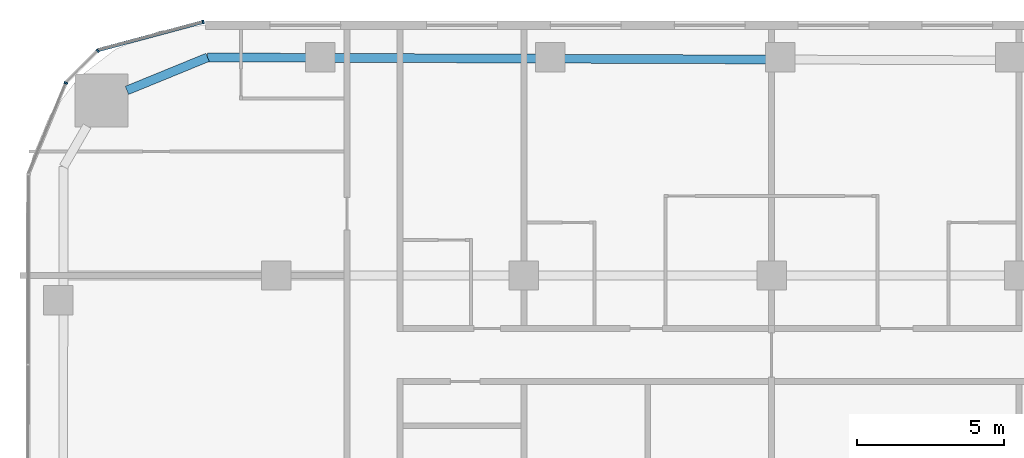
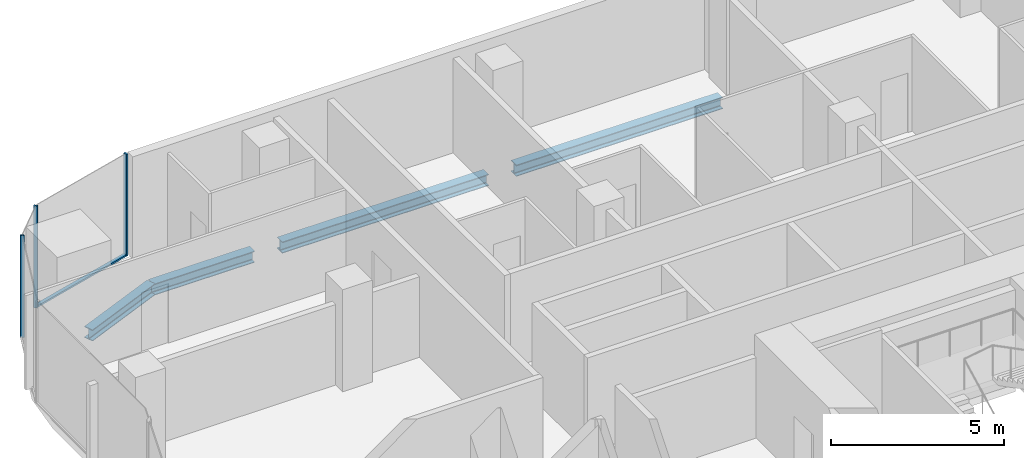
# One storey, part 10 of 25: 4 beams, 4 members, 3 elements without a shape of their own.
"""IFC4 building model written with IfcOpenShell, lengths in metres."""

from ifc_helpers import new_model, si_unit, direction, frame, origin, origin_2d, place, context, subcontext, project, spatial, rectangle, i_section, extrude, material, layer, layer_set, material_profile, profile_set, type_object, element, aggregate, save


model = new_model("IFC4")

# Units and contexts
model_context = context("Model", 3, precision=1e-05, world=origin(), true_north=direction((0.0, 1.0)))
body_context = subcontext(model_context, "Body", "Model", "MODEL_VIEW")
ifc_project = project(units=[si_unit("LENGTHUNIT", "METRE"), si_unit("AREAUNIT", "SQUARE_METRE"), si_unit("VOLUMEUNIT", "CUBIC_METRE"), si_unit("PLANEANGLEUNIT", "RADIAN"), si_unit("MASSUNIT", "GRAM", prefix="KILO")], contexts=[model_context])

# Site, building, storey
site_placement = place(None, origin())
site = spatial("IfcSite", under=ifc_project, at=site_placement, CompositionType="ELEMENT")
building_placement = place(site_placement, origin())
building = spatial("IfcBuilding", under=site, at=building_placement, Name="Marenta Gate Hotel Tower", CompositionType="ELEMENT")
storey_placement = place(building_placement, frame((0.0, 0.0, 50.89990234375)))
storey = spatial("IfcBuildingStorey", under=building, at=storey_placement, Name="L10", CompositionType="ELEMENT", Elevation=50.89990234375)

# Beams
ifc_material_1 = material(Name="Steel S355", Category="steel")
ifc_material_profile_1 = material_profile(ifc_material_1, i_section(OverallWidth=0.300048828125, OverallDepth=0.39990234375, WebThickness=0.013427734375, FlangeThickness=0.02392578125, FilletRadius=0.027099609375, at=origin_2d()), Name="HEB 400")
ifc_profile_set_1 = profile_set([ifc_material_profile_1], Name="Steel S355")
beam_type = type_object("IfcBeamType", Name="Edge beam HEB 400", PredefinedType="SPANDREL", material=ifc_profile_set_1)
beam_1_placement = place(storey_placement, frame((-26.072509765625, 31.47998046875, -0.4599609375), z_axis=(0.925545641603, 0.378636059177, 0.0), x_axis=(-0.378636059177, 0.925545641603, 0.0)))
element("IfcBeam", 1, at=beam_1_placement, inside=storey, type_object=beam_type, Name="L10-EB-12", PredefinedType="SPANDREL", context=body_context, shape_type="SweptSolid", body=[
    extrude(i_section(OverallWidth=0.300048828125, OverallDepth=0.39990234375, WebThickness=0.013427734375, FlangeThickness=0.02392578125, FilletRadius=0.027099609375, at=origin_2d()), origin(), (0.0, 0.0, 1.0), 2.958251953125),
])
beam_2_placement = place(storey_placement, frame((-23.33447265625, 32.60009765625, -0.4599609375), z_axis=(0.999992894549, -0.00376972818, 0.0), x_axis=(0.00376972818, 0.999992894549, 0.0)))
element("IfcBeam", 2, at=beam_2_placement, inside=storey, type_object=beam_type, Name="L10-EB-13", PredefinedType="SPANDREL", context=body_context, shape_type="SweptSolid", body=[
    extrude(i_section(OverallWidth=0.300048828125, OverallDepth=0.39990234375, WebThickness=0.013427734375, FlangeThickness=0.02392578125, FilletRadius=0.027099609375, at=origin_2d()), origin(), (0.0, 0.0, 1.0), 3.36767578125),
])
for number, where, z_axis, x_axis, name in (
    (3, (-19.046875, 32.583984375, -0.4599609375), (0.999993064268, -0.003724435008, 0.0), (0.003724435008, 0.999993064268, 0.0), "L10-EB-14"),
    (4, (-11.244140625, 32.554931640625, -0.4599609375), (0.999993064268, -0.003724435008, 0.0), (0.003724435008, 0.999993064268, 0.0), "L10-EB-15"),
):
    element("IfcBeam", number, at=place(storey_placement, frame(where, z_axis=z_axis, x_axis=x_axis)), inside=storey, type_object=beam_type, Name=name, PredefinedType="SPANDREL", context=body_context, shape_type="SweptSolid", body=[
        extrude(i_section(OverallWidth=0.300048828125, OverallDepth=0.39990234375, WebThickness=0.013427734375, FlangeThickness=0.02392578125, FilletRadius=0.027099609375, at=origin_2d()), origin(), (0.0, 0.0, 1.0), 6.8828125),
    ])

# Curtain wall, member
ifc_material_2 = material(Name="Tinted insulated glass in bronze anodised frame", Category="glass")
ifc_layer = layer(ifc_material_2, 0.1201171875)
ifc_layer_set = layer_set([ifc_layer], Name="Tinted insulated glass in bronze anodised frame")
curtain_wall_type = type_object("IfcCurtainWallType", Name="Tower unitised curtain wall CW1", PredefinedType="NOTDEFINED", material=ifc_layer_set)
curtain_wall_1_placement = place(storey_placement, origin())
curtain_wall_1 = element("IfcCurtainWall", 5, at=curtain_wall_1_placement, inside=storey, type_object=curtain_wall_type, Name="CW1 run G00", PredefinedType="NOTDEFINED")
ifc_material_3 = material(Name="Bronze anodised aluminium", Category="aluminium")
ifc_material_profile_2 = material_profile(ifc_material_3, rectangle(XDim=0.1201171875, YDim=0.06005859375, at=origin_2d()), Name="Mullion CW1 60x120 bronze anodised aluminium")
ifc_profile_set_2 = profile_set([ifc_material_profile_2], Name="Bronze anodised aluminium")
member_type_1 = type_object("IfcMemberType", Name="Mullion CW1 60x120 bronze anodised aluminium", PredefinedType="MULLION", material=ifc_profile_set_2)
member_1_placement = place(storey_placement, frame((-23.485595703125, 33.80322265625, 0.0), z_axis=(0.0, 0.0, 1.0), x_axis=(0.258801657317, -0.965930485164, 0.0)))
member_1 = element("IfcMember", 6, at=member_1_placement, type_object=member_type_1, Name="CW1 mullion 1", PredefinedType="MULLION", context=body_context, shape_type="SweptSolid", body=[
    extrude(rectangle(XDim=0.1201171875, YDim=0.06005859375, at=origin_2d()), origin(), (0.0, 0.0, 1.0), 3.60009765625),
])

curtain_wall_2_placement = place(storey_placement, origin())
curtain_wall_2 = element("IfcCurtainWall", 7, at=curtain_wall_2_placement, inside=storey, type_object=curtain_wall_type, Name="CW1 run G01", PredefinedType="NOTDEFINED")
member_2_placement = place(storey_placement, frame((-27.06103515625, 32.82958984375, 0.0), z_axis=(0.0, 0.0, 1.0), x_axis=(0.707106781187, -0.707106781187, 0.0)))
member_2 = element("IfcMember", 8, at=member_2_placement, type_object=member_type_1, Name="CW1 mullion 1", PredefinedType="MULLION", context=body_context, shape_type="SweptSolid", body=[
    extrude(rectangle(XDim=0.1201171875, YDim=0.06005859375, at=origin_2d()), origin(), (0.0, 0.0, 1.0), 3.60009765625),
])
aggregate(curtain_wall_2, [member_2])

curtain_wall_3_placement = place(storey_placement, origin())
curtain_wall_3 = element("IfcCurtainWall", 9, at=curtain_wall_3_placement, inside=storey, type_object=curtain_wall_type, Name="CW1 run G02", PredefinedType="NOTDEFINED")
member_3_placement = place(storey_placement, frame((-28.142333984375, 31.732177734375, 0.0), z_axis=(0.0, 0.0, 1.0), x_axis=(0.923885075314, -0.382670050581, 0.0)))
member_3 = element("IfcMember", 10, at=member_3_placement, type_object=member_type_1, Name="CW1 mullion 1", PredefinedType="MULLION", context=body_context, shape_type="SweptSolid", body=[
    extrude(rectangle(XDim=0.1201171875, YDim=0.06005859375, at=origin_2d()), origin(), (0.0, 0.0, 1.0), 3.60009765625),
])
aggregate(curtain_wall_3, [member_3])

# Member
ifc_material_4 = material(Name="Bronze anodised aluminium", Category="aluminium")
ifc_material_profile_3 = material_profile(ifc_material_4, rectangle(XDim=0.1201171875, YDim=0.06005859375, at=origin_2d()), Name="Transom CW1 60x120 bronze anodised aluminium")
ifc_profile_set_3 = profile_set([ifc_material_profile_3], Name="Bronze anodised aluminium")
member_type_2 = type_object("IfcMemberType", Name="Transom CW1 60x120 bronze anodised aluminium", PredefinedType="USERDEFINED", material=ifc_profile_set_3)
member_4_placement = place(storey_placement, frame((-23.514404296875, 33.79541015625, 0.030029296875), z_axis=(-0.965928942389, -0.258807415381, 0.0), x_axis=(0.258807415381, -0.965928942389, 0.0)))
member_4 = element("IfcMember", 11, at=member_4_placement, type_object=member_type_2, Name="CW1 transom 1.1", ObjectType="TRANSOM", PredefinedType="USERDEFINED", context=body_context, shape_type="SweptSolid", body=[
    extrude(rectangle(XDim=0.1201171875, YDim=0.06005859375, at=origin_2d()), origin(), (0.0, 0.0, 1.0), 3.649658203125),
])

aggregate(curtain_wall_1, [member_1, member_4])

save(model, "model.ifc")
